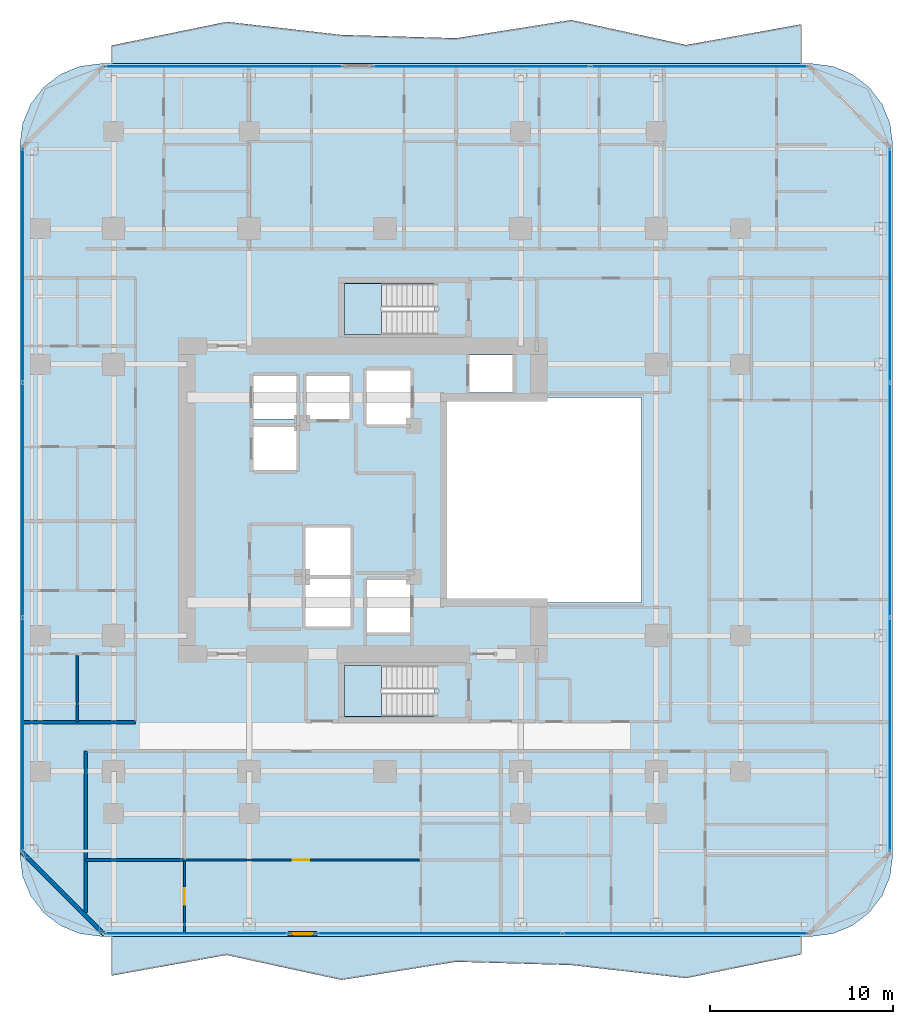
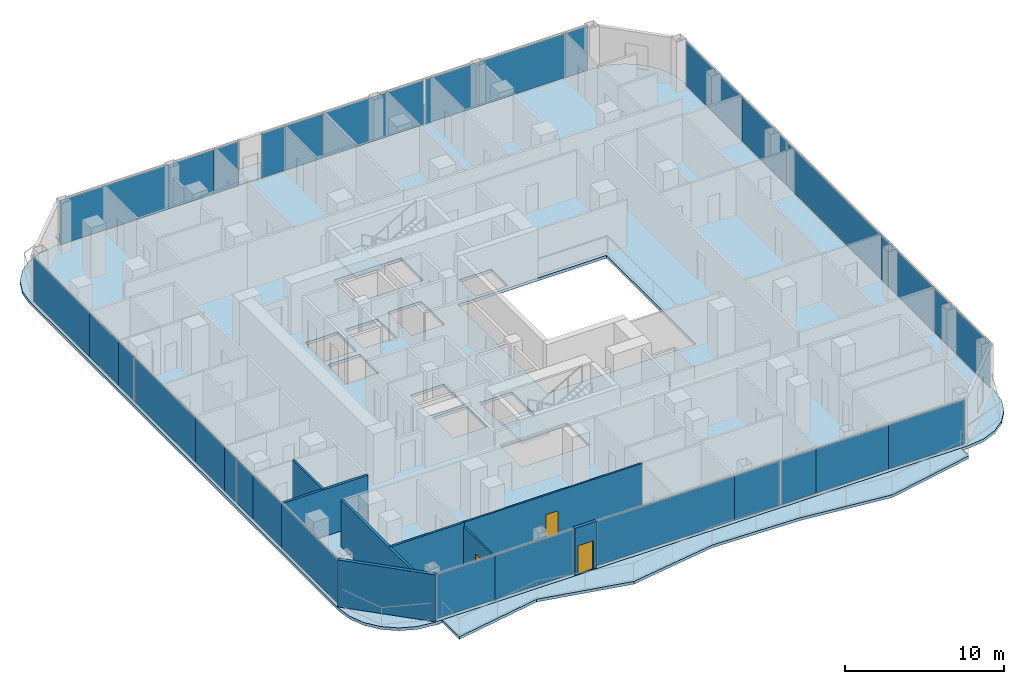
# One storey, part 19 of 27: 32 plates, 8 walls, 5 slabs, 3 doors, 3 openings, 8 elements without a shape of their own.
"""IFC4 building model written with IfcOpenShell, lengths in metres."""

import ifcopenshell
import ifcopenshell.guid

model = None  # the IFC model being written
_history = None  # IfcOwnerHistory: only IFC2X3 demands one
_inside = {}  # id of a spatial element -> (the spatial element, [elements in it])
_under = {}  # id of a project, library or spatial element -> (it, [spatial elements below it])
_declared = {}  # id of a project -> (the project, [libraries it declares])
_typed = {}  # id of a type object -> (the type object, [elements of that type])
_made_of = {}  # id of a material, layer set ... -> (it, [elements and type objects made of it])


def new_model(schema):
    """Start an empty IFC model of exactly this schema.

    Asked for "IFC4X3", IfcOpenShell would pick the latest addendum, in which some entities
    have other attributes; the version numbers below select the first issue.
    IFC2X3 requires an IfcOwnerHistory on every rooted entity: one is made here for all.
    """
    global model, _history
    if schema == "IFC4X3":
        model = ifcopenshell.file(schema_version=(4, 3, 0, 0))
    else:
        model = ifcopenshell.file(schema=schema)
    _inside.clear()
    _under.clear()
    _declared.clear()
    _typed.clear()
    _made_of.clear()
    _history = None
    if model.schema == "IFC2X3":
        org = make("IfcOrganization", Name="unknown")
        user = make(
            "IfcPersonAndOrganization",
            ThePerson=make("IfcPerson", FamilyName="unknown"),
            TheOrganization=org,
        )
        app = make(
            "IfcApplication",
            ApplicationDeveloper=org,
            Version="unknown",
            ApplicationFullName="unknown",
            ApplicationIdentifier="unknown",
        )
        _history = make(
            "IfcOwnerHistory",
            OwningUser=user,
            OwningApplication=app,
            ChangeAction="ADDED",
            CreationDate=0,
        )
    return model


def make(cls, **values):
    """One entity of the class cls with the attributes given. An attribute that is None is left unset."""
    return model.create_entity(
        cls, **{name: value for name, value in values.items() if value is not None}
    )


def rooted(cls, **values):
    """An entity with a GlobalId (a new one), such as an element, a storey or a relation."""
    return make(cls, GlobalId=ifcopenshell.guid.new(), OwnerHistory=_history, **values)


def si_unit(unit_type, name, prefix=None):
    """IfcSIUnit, for example si_unit("LENGTHUNIT", "METRE", prefix="MILLI")."""
    return make("IfcSIUnit", UnitType=unit_type, Prefix=prefix, Name=name)


def assignment(units):
    """IfcUnitAssignment: the units of a project."""
    return None if units is None else make("IfcUnitAssignment", Units=units)


def point(xyz):
    """IfcCartesianPoint."""
    return None if xyz is None else make("IfcCartesianPoint", Coordinates=xyz)


def direction(xyz):
    """IfcDirection."""
    return None if xyz is None else make("IfcDirection", DirectionRatios=xyz)


def frame(location, z_axis=None, x_axis=None):
    """IfcAxis2Placement3D, a coordinate frame: its origin and axes. An axis left out is left unset."""
    return make(
        "IfcAxis2Placement3D",
        Location=point(location),
        Axis=direction(z_axis),
        RefDirection=direction(x_axis),
    )


def frame_2d(location, x_axis=None):
    """IfcAxis2Placement2D, a coordinate frame in the plane: its origin and x axis."""
    return make(
        "IfcAxis2Placement2D", Location=point(location), RefDirection=direction(x_axis)
    )


def origin():
    """The frame at (0, 0, 0) with its axes left unset."""
    return frame((0.0, 0.0, 0.0))


def origin_2d():
    """The frame at (0, 0) in the plane with its x axis left unset."""
    return frame_2d((0.0, 0.0))


def place(relative_to, where):
    """IfcLocalPlacement: puts the frame where relative to a parent placement (None: the world)."""
    return make(
        "IfcLocalPlacement", PlacementRelTo=relative_to, RelativePlacement=where
    )


def context(
    kind, dimensions, precision=None, world=None, true_north=None, identifier=None
):
    """IfcGeometricRepresentationContext, for example the 3D "Model" context."""
    return make(
        "IfcGeometricRepresentationContext",
        ContextIdentifier=identifier,
        ContextType=kind,
        CoordinateSpaceDimension=dimensions,
        Precision=precision,
        WorldCoordinateSystem=world,
        TrueNorth=true_north,
    )


def subcontext(parent, identifier, kind, view, scale=None):
    """IfcGeometricRepresentationSubContext, for example "Body" below "Model"."""
    return make(
        "IfcGeometricRepresentationSubContext",
        ContextIdentifier=identifier,
        ContextType=kind,
        ParentContext=parent,
        TargetScale=scale,
        TargetView=view,
    )


def project(units=None, contexts=None):
    """IfcProject with its units and contexts."""
    return rooted(
        "IfcProject",
        Name="project",
        RepresentationContexts=contexts,
        UnitsInContext=assignment(units),
    )


def spatial(cls, under=None, at=None, **own):
    """A site, building, storey or space (cls), placed at a placement, below another one or the project."""
    s = rooted(cls, ObjectPlacement=at, **own)
    if under is not None:
        _under.setdefault(under.id(), (under, []))[1].append(s)
    return s


def polyline(points):
    """IfcPolyline through the points."""
    return make("IfcPolyline", Points=[point(p) for p in points])


def profile(cls, at=None, kind="AREA", **sizes):
    """A parametric profile (cls). Its sizes go by their IFC names, for example OverallWidth=200.0."""
    return make(cls, ProfileType=kind, Position=at, **sizes)


def rectangle(**sizes):
    """IfcRectangleProfileDef."""
    return profile("IfcRectangleProfileDef", **sizes)


def outline(outer, holes=None, kind="AREA"):
    """IfcArbitraryClosedProfileDef: a profile drawn as a closed curve; with holes, ...WithVoids."""
    if holes is None:
        return make("IfcArbitraryClosedProfileDef", ProfileType=kind, OuterCurve=outer)
    return make(
        "IfcArbitraryProfileDefWithVoids",
        ProfileType=kind,
        OuterCurve=outer,
        InnerCurves=holes,
    )


def extrude(swept, where, along, depth):
    """IfcExtrudedAreaSolid: the profile swept, set in the frame where, extruded along a direction by depth."""
    return make(
        "IfcExtrudedAreaSolid",
        SweptArea=swept,
        Position=where,
        ExtrudedDirection=direction(along),
        Depth=depth,
    )


def shape(context_of_items, identifier, shape_type, items):
    """IfcShapeRepresentation: the items that make up one representation, for example the "Body"."""
    return make(
        "IfcShapeRepresentation",
        ContextOfItems=context_of_items,
        RepresentationIdentifier=identifier,
        RepresentationType=shape_type,
        Items=items,
    )


def material(Name=None, Category=None):
    """IfcMaterial."""
    return make("IfcMaterial", Name=Name, Category=Category)


def layer(
    of_material, thickness, ventilated=None, Name=None, Category=None, Priority=None
):
    """IfcMaterialLayer: one layer of a wall or slab, of a material (None: an air gap)."""
    return make(
        "IfcMaterialLayer",
        Material=of_material,
        LayerThickness=thickness,
        IsVentilated=ventilated,
        Name=Name,
        Category=Category,
        Priority=Priority,
    )


def layer_set(layers, Name=None):
    """IfcMaterialLayerSet."""
    return make("IfcMaterialLayerSet", MaterialLayers=layers, LayerSetName=Name)


def made_of(thing, what):
    """Note that an element or type object is made of a material, layer set ...; save() writes the relation."""
    if what is not None:
        _made_of.setdefault(what.id(), (what, []))[1].append(thing)
    return thing


def type_object(cls, material=None, **own):
    """A type object (cls), such as IfcWallType, which elements share."""
    return made_of(rooted(cls, **own), material)


def element(
    cls,
    number,
    at=None,
    inside=None,
    cuts=None,
    type_object=None,
    material=None,
    context=None,
    identifier="Body",
    shape_type=None,
    held_by="IfcProductDefinitionShape",
    body=None,
    shapes=None,
    **own,
):
    """One element of the class cls, such as IfcWall. Its Tag is "e" and its number.

    at: its placement. inside: the storey or other place that contains it. cuts: it is an
    opening in that element (IfcRelVoidsElement). A single representation is given by context,
    identifier, shape_type and body (its items); several are given by shapes. held_by: the class
    of the entity that holds the representations. save() writes the other relations.
    """
    e = rooted(cls, Tag="e%d" % number, ObjectPlacement=at, **own)
    if body is not None:
        shapes = [shape(context, identifier, shape_type, body)]
    if shapes is not None:
        e.Representation = make(held_by, Representations=shapes)
    if inside is not None:
        _inside.setdefault(inside.id(), (inside, []))[1].append(e)
    if cuts is not None:
        rooted(
            "IfcRelVoidsElement", RelatingBuildingElement=cuts, RelatedOpeningElement=e
        )
    if type_object is not None:
        _typed.setdefault(type_object.id(), (type_object, []))[1].append(e)
    return made_of(e, material)


def fill(opening, filler):
    """IfcRelFillsElement: the door or window that sits in an opening."""
    return rooted(
        "IfcRelFillsElement",
        RelatingOpeningElement=opening,
        RelatedBuildingElement=filler,
    )


def aggregate(whole, parts):
    """IfcRelAggregates: a whole, such as a stair, and the parts it consists of."""
    return rooted("IfcRelAggregates", RelatingObject=whole, RelatedObjects=parts)


def save(model, path):
    """Write the relations noted so far, then the file.

    IfcRelAggregates (storeys below a building ...), IfcRelContainedInSpatialStructure (elements
    in a storey), IfcRelDefinesByType, IfcRelAssociatesMaterial and IfcRelDeclares: one each for
    every whole, place, type object, material and project.
    """
    for whole, parts in _under.values():
        aggregate(whole, parts)
    for where, things in _inside.values():
        rooted(
            "IfcRelContainedInSpatialStructure",
            RelatedElements=things,
            RelatingStructure=where,
        )
    for kind, things in _typed.values():
        rooted("IfcRelDefinesByType", RelatedObjects=things, RelatingType=kind)
    for what, things in _made_of.values():
        rooted("IfcRelAssociatesMaterial", RelatedObjects=things, RelatingMaterial=what)
    for by, libraries in _declared.values():
        rooted("IfcRelDeclares", RelatingContext=by, RelatedDefinitions=libraries)
    model.write(path)


model = new_model("IFC4")

# Units and contexts
model_context = context("Model", 3, precision=1e-05, world=origin(), true_north=direction((0.0, 1.0)))
body_context = subcontext(model_context, "Body", "Model", "MODEL_VIEW")
ifc_project = project(units=[si_unit("LENGTHUNIT", "METRE"), si_unit("AREAUNIT", "SQUARE_METRE"), si_unit("VOLUMEUNIT", "CUBIC_METRE"), si_unit("PLANEANGLEUNIT", "RADIAN"), si_unit("MASSUNIT", "GRAM", prefix="KILO")], contexts=[model_context])

# Site, building, storey
site_placement = place(None, origin())
site = spatial("IfcSite", under=ifc_project, at=site_placement, CompositionType="ELEMENT")
building_placement = place(site_placement, origin())
building = spatial("IfcBuilding", under=site, at=building_placement, Name="Khorvyn Point Tower", CompositionType="ELEMENT")
storey_placement = place(building_placement, frame((0.0, 0.0, 152.39990234375)))
storey = spatial("IfcBuildingStorey", under=building, at=storey_placement, Name="L38", CompositionType="ELEMENT", Elevation=152.39990234375)

# Slabs
ifc_material_1 = material(Name="Concrete C35/45", Category="concrete")
ifc_layer_1 = layer(ifc_material_1, 0.219970703125)
ifc_layer_set_1 = layer_set([ifc_layer_1], Name="Concrete C35/45 Structural Floor Slab 220")
slab_type_1 = type_object("IfcSlabType", Name="Concrete C35/45 Structural Floor Slab 220", PredefinedType="FLOOR", material=ifc_layer_set_1)
slab_1_placement = place(storey_placement, frame((0.0, 0.0, -0.219970703125)))
element("IfcSlab", 1, at=slab_1_placement, inside=storey, type_object=slab_type_1, Name="L38 Main Structural Floor Slab", PredefinedType="FLOOR", context=body_context, shape_type="SweptSolid", body=[
    extrude(outline(polyline([(-15.5, -23.800048828125), (-16.638916015625, -23.650146484375), (-17.699951171875, -23.21044921875), (-18.611328125, -22.51123046875), (-19.310546875, -21.60009765625), (-19.75, -20.538818359375), (-19.89990234375, -19.39990234375), (-19.89990234375, 19.39990234375), (-19.75, 20.538818359375), (-19.310546875, 21.60009765625), (-18.611328125, 22.51123046875), (-17.699951171875, 23.21044921875), (-16.638916015625, 23.650146484375), (-15.5, 23.800048828125), (23.300048828125, 23.800048828125), (24.438720703125, 23.650146484375), (25.5, 23.21044921875), (26.411376953125, 22.51123046875), (27.110595703125, 21.60009765625), (27.550048828125, 20.538818359375), (27.699951171875, 19.39990234375), (27.699951171875, -19.39990234375), (27.550048828125, -20.538818359375), (27.110595703125, -21.60009765625), (26.411376953125, -22.51123046875), (25.5, -23.21044921875), (24.438720703125, -23.650146484375), (23.300048828125, -23.800048828125), (-15.5, -23.800048828125)]), holes=[polyline([(-1.875, -6.89990234375), (-1.875, -4.300048828125), (-4.324951171875, -4.300048828125), (-4.324951171875, -6.89990234375), (-1.875, -6.89990234375)]), polyline([(-1.875, -4.10009765625), (-1.875, -1.5), (-4.324951171875, -1.5), (-4.324951171875, -4.10009765625), (-1.875, -4.10009765625)]), polyline([(-4.824951171875, 1.625), (-4.824951171875, 3.97509765625), (-7.175048828125, 3.97509765625), (-7.175048828125, 1.625), (-4.824951171875, 1.625)]), polyline([(-7.175048828125, 4.425048828125), (-4.824951171875, 4.425048828125), (-4.824951171875, 6.77490234375), (-7.175048828125, 6.77490234375), (-7.175048828125, 4.425048828125)]), polyline([(-4.27490234375, 4.425048828125), (-1.925048828125, 4.425048828125), (-1.925048828125, 6.77490234375), (-4.27490234375, 6.77490234375), (-4.27490234375, 4.425048828125)]), polyline([(1.39990234375, 4.125), (1.39990234375, 7.074951171875), (-1.0, 7.074951171875), (-1.0, 4.125), (1.39990234375, 4.125)]), polyline([(-2.199951171875, -11.820068359375), (2.679931640625, -11.820068359375), (2.679931640625, -9.02001953125), (-2.199951171875, -9.02001953125), (-2.199951171875, -11.820068359375)]), polyline([(-0.97509765625, -7.22509765625), (1.375, -7.22509765625), (1.375, -4.375), (-0.97509765625, -4.375), (-0.97509765625, -7.22509765625)]), polyline([(14.0, -5.60009765625), (14.0, 5.60009765625), (3.199951171875, 5.60009765625), (3.199951171875, -5.60009765625), (14.0, -5.60009765625)]), polyline([(4.625, 5.85009765625), (6.97509765625, 5.85009765625), (6.97509765625, 7.905029296875), (4.625, 7.905029296875), (4.625, 5.85009765625)]), polyline([(-2.199951171875, 9.02001953125), (2.679931640625, 9.02001953125), (2.679931640625, 11.820068359375), (-2.199951171875, 11.820068359375), (-2.199951171875, 9.02001953125)])]), origin(), (0.0, 0.0, 1.0), 0.219970703125),
])
ifc_material_2 = material(Name="Concrete C40/50", Category="concrete")
ifc_layer_2 = layer(ifc_material_2, 0.2099609375)
ifc_layer_set_2 = layer_set([ifc_layer_2], Name="Concrete C40/50 Rippling Balcony Slab 210")
slab_type_2 = type_object("IfcSlabType", Name="Concrete C40/50 Rippling Balcony Slab 210", PredefinedType="USERDEFINED", material=ifc_layer_set_2)
slab_2_placement = place(storey_placement, frame((0.0, 0.0, -0.2099609375)))
element("IfcSlab", 2, at=slab_2_placement, inside=storey, type_object=slab_type_2, Name="L38 North Sinusoidal Rippling Balcony", ObjectType="BALCONY", PredefinedType="USERDEFINED", context=body_context, shape_type="SweptSolid", body=[
    extrude(outline(polyline([(22.699951171875, 23.800048828125), (22.699951171875, 25.943603515625), (16.433349609375, 24.817138671875), (10.166748046875, 26.1796875), (3.89990234375, 25.1884765625), (-2.36669921875, 25.36669921875), (-8.63330078125, 26.080810546875), (-14.89990234375, 24.79248046875), (-14.89990234375, 23.800048828125), (22.699951171875, 23.800048828125)])), origin(), (0.0, 0.0, 1.0), 0.2099609375),
])
slab_3_placement = place(storey_placement, frame((0.0, 0.0, -0.2099609375)))
element("IfcSlab", 3, at=slab_3_placement, inside=storey, type_object=slab_type_2, Name="L38 South Sinusoidal Rippling Balcony", ObjectType="BALCONY", PredefinedType="USERDEFINED", context=body_context, shape_type="SweptSolid", body=[
    extrude(outline(polyline([(-14.89990234375, -23.800048828125), (-14.89990234375, -25.943603515625), (-8.63330078125, -24.817138671875), (-2.36669921875, -26.1796875), (3.89990234375, -25.1884765625), (10.166748046875, -25.36669921875), (16.433349609375, -26.080810546875), (22.699951171875, -24.79248046875), (22.699951171875, -23.800048828125), (-14.89990234375, -23.800048828125)])), origin(), (0.0, 0.0, 1.0), 0.2099609375),
])

# Stair, slab
stair_type = type_object("IfcStairType", Name="Tower Concrete C40/50 Dogleg Exit Stair", PredefinedType="HALF_TURN_STAIR", material=ifc_material_2)
stair_1_placement = place(storey_placement, origin())
stair_1 = element("IfcStair", 4, at=stair_1_placement, inside=storey, type_object=stair_type, Name="L38 Tower Smokeproof Exit Stair South", PredefinedType="HALF_TURN_STAIR")
ifc_layer_3 = layer(ifc_material_2, 0.199951171875)
ifc_layer_set_3 = layer_set([ifc_layer_3], Name="Concrete C40/50 Stair Landing Slab 200")
slab_type_3 = type_object("IfcSlabType", Name="Concrete C40/50 Stair Landing Slab 200", PredefinedType="LANDING", material=ifc_layer_set_3)
slab_4_placement = place(storey_placement, frame((0.0, 0.0, 1.75)))
slab_4 = element("IfcSlab", 5, at=slab_4_placement, type_object=slab_type_3, Name="ST-01 landing 1", PredefinedType="LANDING", context=body_context, shape_type="SweptSolid", body=[
    extrude(outline(polyline([(-0.179931640625, -9.02001953125), (-2.199951171875, -9.02001953125), (-2.199951171875, -11.820068359375), (-0.179931640625, -11.820068359375), (-0.179931640625, -9.02001953125)])), origin(), (0.0, 0.0, 1.0), 0.2001953125),
])
aggregate(stair_1, [slab_4])

stair_2_placement = place(storey_placement, origin())
stair_2 = element("IfcStair", 6, at=stair_2_placement, inside=storey, type_object=stair_type, Name="L38 Tower Smokeproof Exit Stair North", PredefinedType="HALF_TURN_STAIR")
slab_5_placement = place(storey_placement, frame((0.0, 0.0, 1.75)))
slab_5 = element("IfcSlab", 7, at=slab_5_placement, type_object=slab_type_3, Name="ST-02 landing 1", PredefinedType="LANDING", context=body_context, shape_type="SweptSolid", body=[
    extrude(outline(polyline([(-0.179931640625, 11.820068359375), (-2.199951171875, 11.820068359375), (-2.199951171875, 9.02001953125), (-0.179931640625, 9.02001953125), (-0.179931640625, 11.820068359375)])), origin(), (0.0, 0.0, 1.0), 0.2001953125),
])
aggregate(stair_2, [slab_5])

# Curtain wall, plates
ifc_material_3 = material(Name="Anodised aluminium 6063-T6 and laminated Low-E glass", Category="aluminium")
ifc_layer_4 = layer(ifc_material_3, 0.18994140625)
ifc_layer_set_4 = layer_set([ifc_layer_4], Name="Stick-Built Acoustic Curtain Wall CW-SYS-03")
curtain_wall_type = type_object("IfcCurtainWallType", Name="Stick-Built Acoustic Curtain Wall CW-SYS-03", PredefinedType="NOTDEFINED", material=ifc_layer_set_4)
curtain_wall_1_placement = place(storey_placement, origin())
curtain_wall_1 = element("IfcCurtainWall", 8, at=curtain_wall_1_placement, inside=storey, type_object=curtain_wall_type, Name="Curtain Wall", PredefinedType="NOTDEFINED")
ifc_material_4 = material(Name="Laminated Low-E insulated glass", Category="glass")
ifc_layer_5 = layer(ifc_material_4, 0.028076171875)
ifc_layer_set_5 = layer_set([ifc_layer_5], Name="Tempered Low-E Vision Glazing Panel CW-GL28")
plate_type = type_object("IfcPlateType", Name="Tempered Low-E Vision Glazing Panel CW-GL28", PredefinedType="CURTAIN_PANEL", material=ifc_layer_set_5)
plate_1_placement = place(storey_placement, frame((11.01220703125, -23.64990234375, 0.10009765625), z_axis=(0.0, 0.0, 1.0), x_axis=(-1.0, 0.0, 0.0)))
plate_1 = element("IfcPlate", 9, at=plate_1_placement, type_object=plate_type, Name="Panel", PredefinedType="CURTAIN_PANEL", context=body_context, shape_type="SweptSolid", body=[
    extrude(rectangle(XDim=2.527587890625, YDim=0.028076171875, at=origin_2d()), origin(), (0.0, 0.0, 1.0), 3.39990234375),
])
plate_2_placement = place(storey_placement, frame((14.907958984375, -23.64990234375, 0.10009765625), z_axis=(0.0, 0.0, 1.0), x_axis=(-1.0, 0.0, 0.0)))
plate_2 = element("IfcPlate", 10, at=plate_2_placement, type_object=plate_type, Name="Panel", PredefinedType="CURTAIN_PANEL", context=body_context, shape_type="SweptSolid", body=[
    extrude(rectangle(XDim=5.248046875, YDim=0.028076171875, at=origin_2d()), origin(), (0.0, 0.0, 1.0), 3.39990234375),
])
plate_3_placement = place(storey_placement, frame((20.29296875, -23.64990234375, 0.10009765625), z_axis=(0.0, 0.0, 1.0), x_axis=(-1.0, 0.0, 0.0)))
plate_3 = element("IfcPlate", 11, at=plate_3_placement, type_object=plate_type, Name="Panel", PredefinedType="CURTAIN_PANEL", context=body_context, shape_type="SweptSolid", body=[
    extrude(rectangle(XDim=5.506103515625, YDim=0.028076171875, at=origin_2d()), origin(), (0.0, 0.0, 1.0), 3.39990234375),
])
plate_4_placement = place(storey_placement, frame((1.362548828125, -23.64990234375, 0.10009765625), z_axis=(0.0, 0.0, 1.0), x_axis=(-1.0, 0.0, 0.0)))
plate_4 = element("IfcPlate", 12, at=plate_4_placement, type_object=plate_type, Name="Panel", PredefinedType="CURTAIN_PANEL", context=body_context, shape_type="SweptSolid", body=[
    extrude(rectangle(XDim=10.0390625, YDim=0.028076171875, at=origin_2d()), origin(), (0.0, 0.0, 1.0), 3.39990234375),
])
plate_5_placement = place(storey_placement, frame((8.01513671875, -23.64990234375, 0.10009765625), z_axis=(0.0, 0.0, 1.0), x_axis=(-1.0, 0.0, 0.0)))
plate_5 = element("IfcPlate", 13, at=plate_5_placement, type_object=plate_type, Name="Panel", PredefinedType="CURTAIN_PANEL", context=body_context, shape_type="SweptSolid", body=[
    extrude(rectangle(XDim=3.25048828125, YDim=0.028076171875, at=origin_2d()), origin(), (0.0, 0.0, 1.0), 3.39990234375),
])
aggregate(curtain_wall_1, [plate_1, plate_2, plate_3, plate_4, plate_5])

curtain_wall_2_placement = place(storey_placement, origin())
curtain_wall_2 = element("IfcCurtainWall", 14, at=curtain_wall_2_placement, inside=storey, type_object=curtain_wall_type, Name="Curtain Wall", PredefinedType="NOTDEFINED")
plate_6_placement = place(storey_placement, frame((-13.117919921875, -23.64990234375, 0.10009765625), z_axis=(0.0, 0.0, 1.0), x_axis=(-1.0, 0.0, 0.0)))
plate_6 = element("IfcPlate", 15, at=plate_6_placement, type_object=plate_type, Name="Panel", PredefinedType="CURTAIN_PANEL", context=body_context, shape_type="SweptSolid", body=[
    extrude(rectangle(XDim=4.256103515625, YDim=0.028076171875, at=origin_2d()), origin(), (0.0, 0.0, 1.0), 3.39990234375),
])
plate_7_placement = place(storey_placement, frame((-8.1435546875, -23.64990234375, 0.10009765625), z_axis=(0.0, 0.0, 1.0), x_axis=(-1.0, 0.0, 0.0)))
plate_7 = element("IfcPlate", 16, at=plate_7_placement, type_object=plate_type, Name="Panel", PredefinedType="CURTAIN_PANEL", context=body_context, shape_type="SweptSolid", body=[
    extrude(rectangle(XDim=5.677001953125, YDim=0.028076171875, at=origin_2d()), origin(), (0.0, 0.0, 1.0), 3.39990234375),
])
aggregate(curtain_wall_2, [plate_6, plate_7])

curtain_wall_3_placement = place(storey_placement, origin())
curtain_wall_3 = element("IfcCurtainWall", 17, at=curtain_wall_3_placement, inside=storey, type_object=curtain_wall_type, Name="Curtain Wall", PredefinedType="NOTDEFINED")
plate_8_placement = place(storey_placement, frame((-11.306396484375, 23.64990234375, 0.10009765625), z_axis=(0.0, 0.0, 1.0), x_axis=(1.0, 0.0, 0.0)))
plate_8 = element("IfcPlate", 18, at=plate_8_placement, type_object=plate_type, Name="Panel", PredefinedType="CURTAIN_PANEL", context=body_context, shape_type="SweptSolid", body=[
    extrude(rectangle(XDim=7.87890625, YDim=0.028076171875, at=origin_2d()), origin(), (0.0, 0.0, 1.0), 3.39990234375),
])
plate_9_placement = place(storey_placement, frame((-5.7119140625, 23.64990234375, 0.10009765625), z_axis=(0.0, 0.0, 1.0), x_axis=(1.0, 0.0, 0.0)))
plate_9 = element("IfcPlate", 19, at=plate_9_placement, type_object=plate_type, Name="Panel", PredefinedType="CURTAIN_PANEL", context=body_context, shape_type="SweptSolid", body=[
    extrude(rectangle(XDim=3.2939453125, YDim=0.028076171875, at=origin_2d()), origin(), (0.0, 0.0, 1.0), 3.39990234375),
])
plate_10_placement = place(storey_placement, frame((-3.178466796875, 23.64990234375, 0.10009765625), z_axis=(0.0, 0.0, 1.0), x_axis=(1.0, 0.0, 0.0)))
plate_10 = element("IfcPlate", 20, at=plate_10_placement, type_object=plate_type, Name="Panel", PredefinedType="CURTAIN_PANEL", context=body_context, shape_type="SweptSolid", body=[
    extrude(rectangle(XDim=1.757080078125, YDim=0.028076171875, at=origin_2d()), origin(), (0.0, 0.0, 1.0), 3.39990234375),
])
aggregate(curtain_wall_3, [plate_8, plate_9, plate_10])

curtain_wall_4_placement = place(storey_placement, origin())
curtain_wall_4 = element("IfcCurtainWall", 21, at=curtain_wall_4_placement, inside=storey, type_object=curtain_wall_type, Name="Curtain Wall", PredefinedType="NOTDEFINED")
plate_11_placement = place(storey_placement, frame((0.22705078125, 23.64990234375, 0.10009765625), z_axis=(0.0, 0.0, 1.0), x_axis=(1.0, 0.0, 0.0)))
plate_11 = element("IfcPlate", 22, at=plate_11_placement, type_object=plate_type, Name="Panel", PredefinedType="CURTAIN_PANEL", context=body_context, shape_type="SweptSolid", body=[
    extrude(rectangle(XDim=1.758056640625, YDim=0.028076171875, at=origin_2d()), origin(), (0.0, 0.0, 1.0), 3.39990234375),
])
plate_12_placement = place(storey_placement, frame((2.47509765625, 23.64990234375, 0.10009765625), z_axis=(0.0, 0.0, 1.0), x_axis=(1.0, 0.0, 0.0)))
plate_12 = element("IfcPlate", 23, at=plate_12_placement, type_object=plate_type, Name="Panel", PredefinedType="CURTAIN_PANEL", context=body_context, shape_type="SweptSolid", body=[
    extrude(rectangle(XDim=2.721923828125, YDim=0.028076171875, at=origin_2d()), origin(), (0.0, 0.0, 1.0), 3.39990234375),
])
plate_13_placement = place(storey_placement, frame((7.493408203125, 23.64990234375, 0.10009765625), z_axis=(0.0, 0.0, 1.0), x_axis=(1.0, 0.0, 0.0)))
plate_13 = element("IfcPlate", 24, at=plate_13_placement, type_object=plate_type, Name="Panel", PredefinedType="CURTAIN_PANEL", context=body_context, shape_type="SweptSolid", body=[
    extrude(rectangle(XDim=7.299072265625, YDim=0.028076171875, at=origin_2d()), origin(), (0.0, 0.0, 1.0), 3.39990234375),
])
plate_14_placement = place(storey_placement, frame((13.205078125, 23.64990234375, 0.10009765625), z_axis=(0.0, 0.0, 1.0), x_axis=(1.0, 0.0, 0.0)))
plate_14 = element("IfcPlate", 25, at=plate_14_placement, type_object=plate_type, Name="Panel", PredefinedType="CURTAIN_PANEL", context=body_context, shape_type="SweptSolid", body=[
    extrude(rectangle(XDim=3.907958984375, YDim=0.028076171875, at=origin_2d()), origin(), (0.0, 0.0, 1.0), 3.39990234375),
])
plate_15_placement = place(storey_placement, frame((18.29638671875, 23.64990234375, 0.10009765625), z_axis=(0.0, 0.0, 1.0), x_axis=(1.0, 0.0, 0.0)))
plate_15 = element("IfcPlate", 26, at=plate_15_placement, type_object=plate_type, Name="Panel", PredefinedType="CURTAIN_PANEL", context=body_context, shape_type="SweptSolid", body=[
    extrude(rectangle(XDim=6.259033203125, YDim=0.028076171875, at=origin_2d()), origin(), (0.0, 0.0, 1.0), 3.39990234375),
])
plate_16_placement = place(storey_placement, frame((22.239990234375, 23.64990234375, 0.10009765625), z_axis=(0.0, 0.0, 1.0), x_axis=(1.0, 0.0, 0.0)))
plate_16 = element("IfcPlate", 27, at=plate_16_placement, type_object=plate_type, Name="Panel", PredefinedType="CURTAIN_PANEL", context=body_context, shape_type="SweptSolid", body=[
    extrude(rectangle(XDim=1.612060546875, YDim=0.028076171875, at=origin_2d()), origin(), (0.0, 0.0, 1.0), 3.39990234375),
])
aggregate(curtain_wall_4, [plate_11, plate_12, plate_13, plate_14, plate_15, plate_16])

curtain_wall_5_placement = place(storey_placement, origin())
curtain_wall_5 = element("IfcCurtainWall", 28, at=curtain_wall_5_placement, inside=storey, type_object=curtain_wall_type, Name="Curtain Wall", PredefinedType="NOTDEFINED")
plate_17_placement = place(storey_placement, frame((-19.75, -15.60498046875, 0.10009765625), z_axis=(0.0, 0.0, 1.0), x_axis=(0.0, 1.0, 0.0)))
plate_17 = element("IfcPlate", 29, at=plate_17_placement, type_object=plate_type, Name="Panel", PredefinedType="CURTAIN_PANEL", context=body_context, shape_type="SweptSolid", body=[
    extrude(rectangle(XDim=7.08203125, YDim=0.028076171875, at=origin_2d()), origin(), (0.0, 0.0, 1.0), 3.39990234375),
])
plate_18_placement = place(storey_placement, frame((-19.75, -10.257080078125, 0.10009765625), z_axis=(0.0, 0.0, 1.0), x_axis=(0.0, 1.0, 0.0)))
plate_18 = element("IfcPlate", 30, at=plate_18_placement, type_object=plate_type, Name="Panel", PredefinedType="CURTAIN_PANEL", context=body_context, shape_type="SweptSolid", body=[
    extrude(rectangle(XDim=3.597900390625, YDim=0.028076171875, at=origin_2d()), origin(), (0.0, 0.0, 1.0), 3.39990234375),
])
plate_19_placement = place(storey_placement, frame((-19.75, -7.460205078125, 0.10009765625), z_axis=(0.0, 0.0, 1.0), x_axis=(0.0, 1.0, 0.0)))
plate_19 = element("IfcPlate", 31, at=plate_19_placement, type_object=plate_type, Name="Panel", PredefinedType="CURTAIN_PANEL", context=body_context, shape_type="SweptSolid", body=[
    extrude(rectangle(XDim=1.979248046875, YDim=0.028076171875, at=origin_2d()), origin(), (0.0, 0.0, 1.0), 3.39990234375),
])
plate_20_placement = place(storey_placement, frame((-19.75, -5.622802734375, 0.10009765625), z_axis=(0.0, 0.0, 1.0), x_axis=(0.0, 1.0, 0.0)))
plate_20 = element("IfcPlate", 32, at=plate_20_placement, type_object=plate_type, Name="Panel", PredefinedType="CURTAIN_PANEL", context=body_context, shape_type="SweptSolid", body=[
    extrude(rectangle(XDim=1.479736328125, YDim=0.028076171875, at=origin_2d()), origin(), (0.0, 0.0, 1.0), 3.39990234375),
])
plate_21_placement = place(storey_placement, frame((-19.75, -3.051513671875, 0.10009765625), z_axis=(0.0, 0.0, 1.0), x_axis=(0.0, 1.0, 0.0)))
plate_21 = element("IfcPlate", 33, at=plate_21_placement, type_object=plate_type, Name="Panel", PredefinedType="CURTAIN_PANEL", context=body_context, shape_type="SweptSolid", body=[
    extrude(rectangle(XDim=3.64697265625, YDim=0.028076171875, at=origin_2d()), origin(), (0.0, 0.0, 1.0), 3.39990234375),
])
plate_22_placement = place(storey_placement, frame((-19.75, 2.5712890625, 0.10009765625), z_axis=(0.0, 0.0, 1.0), x_axis=(0.0, 1.0, 0.0)))
plate_22 = element("IfcPlate", 34, at=plate_22_placement, type_object=plate_type, Name="Panel", PredefinedType="CURTAIN_PANEL", context=body_context, shape_type="SweptSolid", body=[
    extrude(rectangle(XDim=7.582763671875, YDim=0.028076171875, at=origin_2d()), origin(), (0.0, 0.0, 1.0), 3.39990234375),
])
plate_23_placement = place(storey_placement, frame((-19.75, 7.460205078125, 0.10009765625), z_axis=(0.0, 0.0, 1.0), x_axis=(0.0, 1.0, 0.0)))
plate_23 = element("IfcPlate", 35, at=plate_23_placement, type_object=plate_type, Name="Panel", PredefinedType="CURTAIN_PANEL", context=body_context, shape_type="SweptSolid", body=[
    extrude(rectangle(XDim=1.979248046875, YDim=0.028076171875, at=origin_2d()), origin(), (0.0, 0.0, 1.0), 3.39990234375),
])
plate_24_placement = place(storey_placement, frame((-19.75, 10.257080078125, 0.10009765625), z_axis=(0.0, 0.0, 1.0), x_axis=(0.0, 1.0, 0.0)))
plate_24 = element("IfcPlate", 36, at=plate_24_placement, type_object=plate_type, Name="Panel", PredefinedType="CURTAIN_PANEL", context=body_context, shape_type="SweptSolid", body=[
    extrude(rectangle(XDim=3.597900390625, YDim=0.028076171875, at=origin_2d()), origin(), (0.0, 0.0, 1.0), 3.39990234375),
])
plate_25_placement = place(storey_placement, frame((-19.75, 15.60498046875, 0.10009765625), z_axis=(0.0, 0.0, 1.0), x_axis=(0.0, 1.0, 0.0)))
plate_25 = element("IfcPlate", 37, at=plate_25_placement, type_object=plate_type, Name="Panel", PredefinedType="CURTAIN_PANEL", context=body_context, shape_type="SweptSolid", body=[
    extrude(rectangle(XDim=7.08203125, YDim=0.028076171875, at=origin_2d()), origin(), (0.0, 0.0, 1.0), 3.39990234375),
])
aggregate(curtain_wall_5, [plate_17, plate_18, plate_19, plate_20, plate_21, plate_22, plate_23, plate_24, plate_25])

curtain_wall_6_placement = place(storey_placement, origin())
curtain_wall_6 = element("IfcCurtainWall", 38, at=curtain_wall_6_placement, inside=storey, type_object=curtain_wall_type, Name="Curtain Wall", PredefinedType="NOTDEFINED")
plate_26_placement = place(storey_placement, frame((27.550048828125, 9.26318359375, 0.10009765625), z_axis=(0.0, 0.0, 1.0), x_axis=(0.0, -1.0, 0.0)))
plate_26 = element("IfcPlate", 39, at=plate_26_placement, type_object=plate_type, Name="Panel", PredefinedType="CURTAIN_PANEL", context=body_context, shape_type="SweptSolid", body=[
    extrude(rectangle(XDim=5.585205078125, YDim=0.028076171875, at=origin_2d()), origin(), (0.0, 0.0, 1.0), 3.39990234375),
])
plate_27_placement = place(storey_placement, frame((27.550048828125, 15.60498046875, 0.10009765625), z_axis=(0.0, 0.0, 1.0), x_axis=(0.0, -1.0, 0.0)))
plate_27 = element("IfcPlate", 40, at=plate_27_placement, type_object=plate_type, Name="Panel", PredefinedType="CURTAIN_PANEL", context=body_context, shape_type="SweptSolid", body=[
    extrude(rectangle(XDim=7.08203125, YDim=0.028076171875, at=origin_2d()), origin(), (0.0, 0.0, 1.0), 3.39990234375),
])
plate_28_placement = place(storey_placement, frame((27.550048828125, -5.931396484375, 0.10009765625), z_axis=(0.0, 0.0, 1.0), x_axis=(0.0, -1.0, 0.0)))
plate_28 = element("IfcPlate", 41, at=plate_28_placement, type_object=plate_type, Name="Panel", PredefinedType="CURTAIN_PANEL", context=body_context, shape_type="SweptSolid", body=[
    extrude(rectangle(XDim=0.86279296875, YDim=0.028076171875, at=origin_2d()), origin(), (0.0, 0.0, 1.0), 3.39990234375),
])
plate_29_placement = place(storey_placement, frame((27.550048828125, 0.0, 0.10009765625), z_axis=(0.0, 0.0, 1.0), x_axis=(0.0, -1.0, 0.0)))
plate_29 = element("IfcPlate", 42, at=plate_29_placement, type_object=plate_type, Name="Panel", PredefinedType="CURTAIN_PANEL", context=body_context, shape_type="SweptSolid", body=[
    extrude(rectangle(XDim=10.98388671875, YDim=0.028076171875, at=origin_2d()), origin(), (0.0, 0.0, 1.0), 3.39990234375),
])
plate_30_placement = place(storey_placement, frame((27.550048828125, 5.931396484375, 0.10009765625), z_axis=(0.0, 0.0, 1.0), x_axis=(0.0, -1.0, 0.0)))
plate_30 = element("IfcPlate", 43, at=plate_30_placement, type_object=plate_type, Name="Panel", PredefinedType="CURTAIN_PANEL", context=body_context, shape_type="SweptSolid", body=[
    extrude(rectangle(XDim=0.86279296875, YDim=0.028076171875, at=origin_2d()), origin(), (0.0, 0.0, 1.0), 3.39990234375),
])
plate_31_placement = place(storey_placement, frame((27.550048828125, -15.60498046875, 0.10009765625), z_axis=(0.0, 0.0, 1.0), x_axis=(0.0, -1.0, 0.0)))
plate_31 = element("IfcPlate", 44, at=plate_31_placement, type_object=plate_type, Name="Panel", PredefinedType="CURTAIN_PANEL", context=body_context, shape_type="SweptSolid", body=[
    extrude(rectangle(XDim=7.08203125, YDim=0.028076171875, at=origin_2d()), origin(), (0.0, 0.0, 1.0), 3.39990234375),
])
plate_32_placement = place(storey_placement, frame((27.550048828125, -9.26318359375, 0.10009765625), z_axis=(0.0, 0.0, 1.0), x_axis=(0.0, -1.0, 0.0)))
plate_32 = element("IfcPlate", 45, at=plate_32_placement, type_object=plate_type, Name="Panel", PredefinedType="CURTAIN_PANEL", context=body_context, shape_type="SweptSolid", body=[
    extrude(rectangle(XDim=5.585205078125, YDim=0.028076171875, at=origin_2d()), origin(), (0.0, 0.0, 1.0), 3.39990234375),
])
aggregate(curtain_wall_6, [plate_26, plate_27, plate_28, plate_29, plate_30, plate_31, plate_32])

# Walls
ifc_material_5 = material(Name="Double acoustic gypsum on twin steel stud", Category="steel")
ifc_layer_6 = layer(ifc_material_5, 0.179931640625)
ifc_layer_set_6 = layer_set([ifc_layer_6], Name="Acoustic Double-Stud Apartment Demising Wall 180")
wall_type_1 = type_object("IfcWallType", Name="Acoustic Double-Stud Apartment Demising Wall 180", PredefinedType="PARTITIONING", material=ifc_layer_set_6)
wall_1_placement = place(storey_placement, frame((-16.320068359375, -22.510009765625, 0.0), z_axis=(0.0, 0.0, 1.0), x_axis=(0.0, 1.0, 0.0)))
element("IfcWall", 46, at=wall_1_placement, inside=storey, type_object=wall_type_1, Name="Wall", PredefinedType="PARTITIONING", context=body_context, shape_type="SweptSolid", body=[
    extrude(rectangle(XDim=8.81005859375, YDim=0.179931640625, at=frame_2d((4.405029296875, 0.0))), origin(), (0.0, 0.0, 1.0), 3.60009765625),
])
wall_2_placement = place(storey_placement, frame((-19.72998046875, -12.1201171875, 0.0), z_axis=(0.0, 0.0, 1.0), x_axis=(1.0, 0.0, 0.0)))
element("IfcWall", 47, at=wall_2_placement, inside=storey, type_object=wall_type_1, Name="Wall", PredefinedType="PARTITIONING", context=body_context, shape_type="SweptSolid", body=[
    extrude(rectangle(XDim=6.1298828125, YDim=0.179931640625, at=frame_2d((3.06494140625, 0.0))), origin(), (0.0, 0.0, 1.0), 3.60009765625),
])

# Wall, opening, door
ifc_material_6 = material(Name="Pale anodised aluminium rainscreen on steel stud", Category="steel")
ifc_layer_7 = layer(ifc_material_6, 0.239990234375)
ifc_layer_set_7 = layer_set([ifc_layer_7], Name="Anodised Aluminium Insulated Corner Spandrel Wall 240")
wall_type_2 = type_object("IfcWallType", Name="Anodised Aluminium Insulated Corner Spandrel Wall 240", PredefinedType="SOLIDWALL", material=ifc_layer_set_7)
wall_3_placement = place(storey_placement, frame((-3.69091796875, -23.64990234375, 0.0), z_axis=(0.0, 0.0, 1.0), x_axis=(-1.0, 0.0, 0.0)))
wall_3 = element("IfcWall", 48, at=wall_3_placement, inside=storey, type_object=wall_type_2, Name="L38 South Outdoor Threshold Wall", PredefinedType="SOLIDWALL", context=body_context, shape_type="SweptSolid", body=[
    extrude(rectangle(XDim=1.580078125, YDim=0.239990234375, at=frame_2d((0.7900390625, 0.0))), origin(), (0.0, 0.0, 1.0), 3.60009765625),
])
opening_1_placement = place(wall_3_placement, frame((0.239990234375, 0.0, 0.0)))
opening_1 = element("IfcOpeningElement", 49, at=opening_1_placement, cuts=wall_3, Name="Opening BD-1122", PredefinedType="OPENING", context=body_context, shape_type="SweptSolid", body=[
    extrude(rectangle(XDim=1.10009765625, YDim=2.199951171875, at=frame_2d((0.550048828125, 1.10009765625))), frame((0.0, 0.1298828125, 0.0), z_axis=(0.0, -1.0, 0.0), x_axis=(1.0, 0.0, 0.0)), (0.0, 0.0, 1.0), 0.260009765625),
])
door_type_1 = type_object("IfcDoorType", Name="Glazed Balcony and Terrace Threshold Door 1100x2200", OperationType="NOTDEFINED", PredefinedType="DOOR", material=ifc_material_3)
door_1_placement = place(opening_1_placement, origin())
door_1 = element("IfcDoor", 50, at=door_1_placement, inside=storey, type_object=door_type_1, Name="L38 South Glazed Balcony Outdoor Door", OperationType="SINGLE_SWING_RIGHT", OverallHeight=2.199951171875, OverallWidth=1.10009765625, PredefinedType="DOOR", context=body_context, shape_type="SweptSolid", body=[
    extrude(rectangle(XDim=1.10009765625, YDim=2.199951171875, at=frame_2d((0.550048828125, 1.10009765625))), frame((0.0, 0.02490234375, 0.0), z_axis=(0.0, -1.0, 0.0), x_axis=(1.0, 0.0, 0.0)), (0.0, 0.0, 1.0), 0.050048828125),
])
fill(opening_1, door_1)

# Wall
wall_4_placement = place(storey_placement, frame((-15.3076171875, -23.6923828125, 0.0), z_axis=(0.0, 0.0, 1.0), x_axis=(-0.707106781187, 0.707106781187, 0.0)))
element("IfcWall", 51, at=wall_4_placement, inside=storey, type_object=wall_type_2, Name="L38 Rounded Corner Wall SW", PredefinedType="SOLIDWALL", context=body_context, shape_type="SweptSolid", body=[
    extrude(rectangle(XDim=6.342529296875, YDim=0.239990234375, at=frame_2d((3.17138671875, 0.0))), origin(), (0.0, 0.0, 1.0), 3.60009765625),
])

# Wall, opening, door
ifc_material_7 = material(Name="Gypsum plasterboard on steel stud", Category="steel")
ifc_layer_8 = layer(ifc_material_7, 0.1201171875)
ifc_layer_set_8 = layer_set([ifc_layer_8], Name="Gypsum Acoustic Stud Room Partition Wall 120")
wall_type_3 = type_object("IfcWallType", Name="Gypsum Acoustic Stud Room Partition Wall 120", PredefinedType="PARTITIONING", material=ifc_layer_set_8)
wall_5_placement = place(storey_placement, frame((-10.926025390625, -19.634033203125, 0.0), z_axis=(0.0, 0.0, 1.0), x_axis=(1.0, 0.0, 0.0)))
wall_5 = element("IfcWall", 52, at=wall_5_placement, inside=storey, type_object=wall_type_3, Name="Wall", PredefinedType="PARTITIONING", context=body_context, shape_type="SweptSolid", body=[
    extrude(rectangle(XDim=12.89013671875, YDim=0.1201171875, at=frame_2d((6.445068359375, 0.0))), origin(), (0.0, 0.0, 1.0), 3.60009765625),
])
opening_2_placement = place(wall_5_placement, frame((5.9052734375, 0.0, 0.0)))
opening_2 = element("IfcOpeningElement", 53, at=opening_2_placement, cuts=wall_5, Name="Opening ID-RM90", PredefinedType="OPENING", context=body_context, shape_type="SweptSolid", body=[
    extrude(rectangle(XDim=0.89990234375, YDim=2.10009765625, at=frame_2d((0.449951171875, 1.050048828125))), frame((0.0, 0.070068359375, 0.0), z_axis=(0.0, -1.0, 0.0), x_axis=(1.0, 0.0, 0.0)), (0.0, 0.0, 1.0), 0.14013671875),
])
ifc_material_8 = material(Name="Engineered oak veneer timber", Category="wood")
door_type_2 = type_object("IfcDoorType", Name="Flush Engineered Timber Room Door 900x2100", OperationType="NOTDEFINED", PredefinedType="DOOR", material=ifc_material_8)
door_2_placement = place(opening_2_placement, origin())
door_2 = element("IfcDoor", 54, at=door_2_placement, inside=storey, type_object=door_type_2, Name="Door", OperationType="SINGLE_SWING_RIGHT", OverallHeight=2.10009765625, OverallWidth=0.89990234375, PredefinedType="DOOR", context=body_context, shape_type="SweptSolid", body=[
    extrude(rectangle(XDim=0.89990234375, YDim=2.10009765625, at=frame_2d((0.449951171875, 1.050048828125))), frame((0.0, 0.02490234375, 0.0), z_axis=(0.0, -1.0, 0.0), x_axis=(1.0, 0.0, 0.0)), (0.0, 0.0, 1.0), 0.050048828125),
])
fill(opening_2, door_2)

wall_6_placement = place(storey_placement, frame((-10.926025390625, -23.6298828125, 0.0), z_axis=(0.0, 0.0, 1.0), x_axis=(0.0, 1.0, 0.0)))
wall_6 = element("IfcWall", 55, at=wall_6_placement, inside=storey, type_object=wall_type_3, Name="Wall", PredefinedType="PARTITIONING", context=body_context, shape_type="SweptSolid", body=[
    extrude(rectangle(XDim=3.995849609375, YDim=0.1201171875, at=frame_2d((1.998046875, 0.0))), origin(), (0.0, 0.0, 1.0), 3.2900390625),
])
opening_3_placement = place(wall_6_placement, frame((1.548095703125, 0.0, 0.0)))
opening_3 = element("IfcOpeningElement", 56, at=opening_3_placement, cuts=wall_6, Name="Opening ID-RM90", PredefinedType="OPENING", context=body_context, shape_type="SweptSolid", body=[
    extrude(rectangle(XDim=0.89990234375, YDim=2.10009765625, at=frame_2d((0.449951171875, 1.050048828125))), frame((0.0, 0.070068359375, 0.0), z_axis=(0.0, -1.0, 0.0), x_axis=(1.0, 0.0, 0.0)), (0.0, 0.0, 1.0), 0.14013671875),
])
door_3_placement = place(opening_3_placement, origin())
door_3 = element("IfcDoor", 57, at=door_3_placement, inside=storey, type_object=door_type_2, Name="Door", OperationType="SINGLE_SWING_RIGHT", OverallHeight=2.10009765625, OverallWidth=0.89990234375, PredefinedType="DOOR", context=body_context, shape_type="SweptSolid", body=[
    extrude(rectangle(XDim=0.89990234375, YDim=2.10009765625, at=frame_2d((0.449951171875, 1.050048828125))), frame((0.0, 0.02490234375, 0.0), z_axis=(0.0, -1.0, 0.0), x_axis=(1.0, 0.0, 0.0)), (0.0, 0.0, 1.0), 0.050048828125),
])
fill(opening_3, door_3)

# Walls
ifc_material_9 = material(Name="Moisture-resistant gypsum and cement board", Category="gypsum")
ifc_layer_9 = layer(ifc_material_9, 0.14990234375)
ifc_layer_set_9 = layer_set([ifc_layer_9], Name="Moisture-Resistant Wet-Room Partition Wall 150")
wall_type_4 = type_object("IfcWallType", Name="Moisture-Resistant Wet-Room Partition Wall 150", PredefinedType="PARTITIONING", material=ifc_layer_set_9)
wall_7_placement = place(storey_placement, frame((-16.320068359375, -19.634033203125, 0.0), z_axis=(0.0, 0.0, 1.0), x_axis=(1.0, 0.0, 0.0)))
element("IfcWall", 58, at=wall_7_placement, inside=storey, type_object=wall_type_4, Name="Wall", PredefinedType="PARTITIONING", context=body_context, shape_type="SweptSolid", body=[
    extrude(rectangle(XDim=5.39404296875, YDim=0.14990234375, at=frame_2d((2.697021484375, 0.0))), origin(), (0.0, 0.0, 1.0), 3.60009765625),
])
wall_8_placement = place(storey_placement, frame((-16.783935546875, -12.1201171875, 0.0), z_axis=(0.0, 0.0, 1.0), x_axis=(0.0, 1.0, 0.0)))
element("IfcWall", 59, at=wall_8_placement, inside=storey, type_object=wall_type_4, Name="Wall", PredefinedType="PARTITIONING", context=body_context, shape_type="SweptSolid", body=[
    extrude(rectangle(XDim=3.72607421875, YDim=0.14990234375, at=frame_2d((1.863037109375, 0.0))), origin(), (0.0, 0.0, 1.0), 3.60009765625),
])

save(model, "model.ifc")
